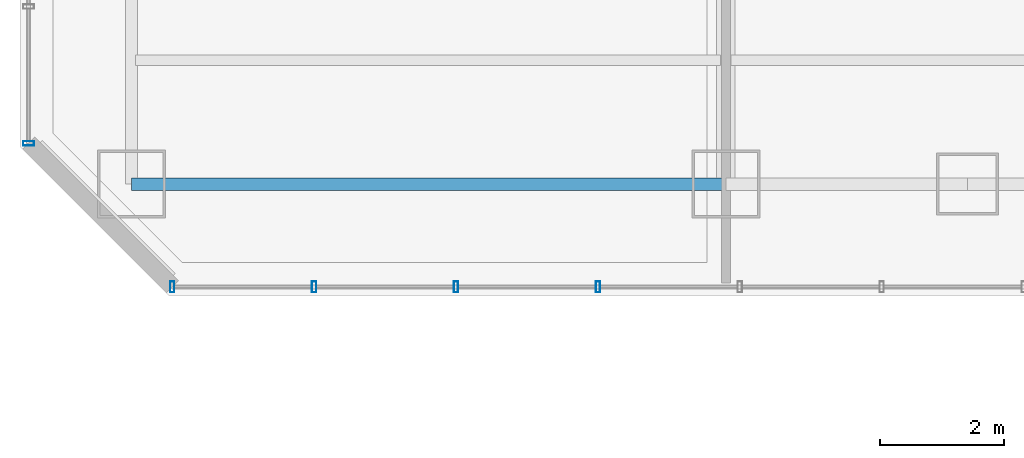
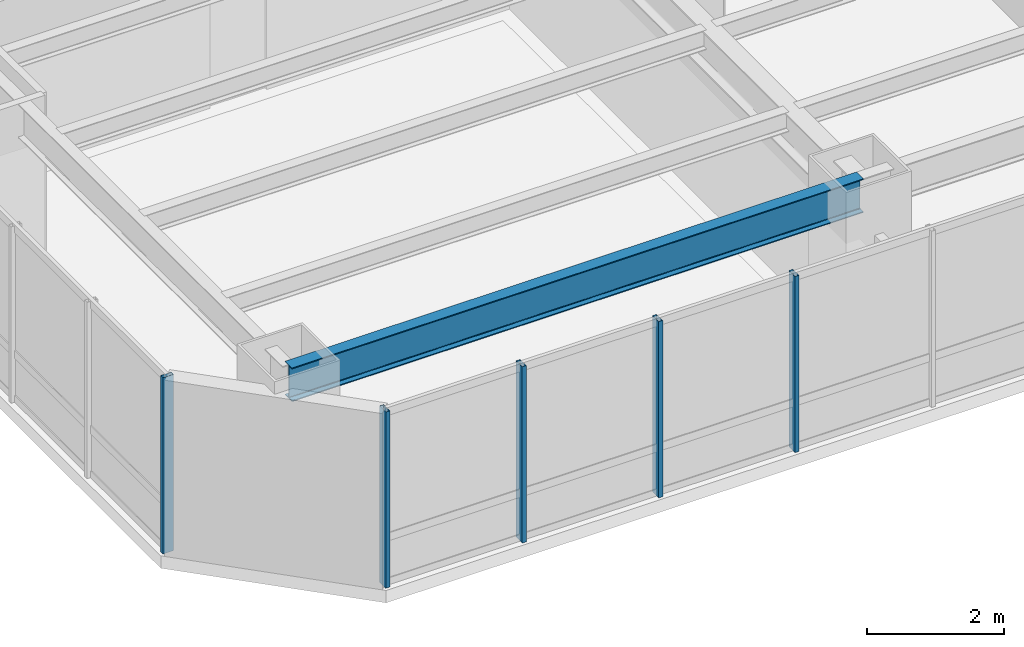
# One storey, part 2 of 37: 5 members, 1 beam, 2 elements without a shape of their own.
"""IFC4 building model written with IfcOpenShell, lengths in metres."""

from ifc_helpers import new_model, si_unit, direction, frame, origin, origin_2d, place, context, subcontext, project, spatial, hollow_rectangle, i_section, extrude, material, layer, layer_set, material_profile, profile_set, type_object, element, aggregate, save


model = new_model("IFC4")

# Units and contexts
model_context = context("Model", 3, precision=1e-05, world=origin(), true_north=direction((0.0, 1.0)))
body_context = subcontext(model_context, "Body", "Model", "MODEL_VIEW")
ifc_project = project(units=[si_unit("LENGTHUNIT", "METRE"), si_unit("AREAUNIT", "SQUARE_METRE"), si_unit("VOLUMEUNIT", "CUBIC_METRE"), si_unit("PLANEANGLEUNIT", "RADIAN"), si_unit("MASSUNIT", "GRAM", prefix="KILO")], contexts=[model_context])

# Site, building, storey
site_placement = place(None, origin())
site = spatial("IfcSite", under=ifc_project, at=site_placement, CompositionType="ELEMENT")
building_placement = place(site_placement, origin())
building = spatial("IfcBuilding", under=site, at=building_placement, Name="Hatsunagi Terrace Concourse", CompositionType="ELEMENT")
storey_placement = place(building_placement, frame((0.0, 0.0, 39.949951171875)))
storey = spatial("IfcBuildingStorey", under=building, at=storey_placement, Name="L09", CompositionType="ELEMENT", Elevation=39.949951171875)

# Curtain wall, members
ifc_material_1 = material(Name="Anodised Aluminium Alloy 6063-T5", Category="aluminium")
ifc_layer = layer(ifc_material_1, 0.199951171875)
ifc_layer_set = layer_set([ifc_layer], Name="HotelFacade_CW02")
curtain_wall_type = type_object("IfcCurtainWallType", Name="HotelFacade_CW02", PredefinedType="NOTDEFINED", material=ifc_layer_set)
curtain_wall_1_placement = place(storey_placement, origin())
curtain_wall_1 = element("IfcCurtainWall", 1, at=curtain_wall_1_placement, inside=storey, type_object=curtain_wall_type, Name="Unitised Curtain Wall CW-02 CW-L09-07", PredefinedType="NOTDEFINED")
ifc_material_2 = material(Name="Anodised Aluminium Alloy 6063-T5", Category="aluminium")
ifc_material_profile_1 = material_profile(ifc_material_2, hollow_rectangle(XDim=0.070068359375, YDim=0.179931640625, WallThickness=0.00390625, at=origin_2d()), Name="ALU-MUL-180x70x4")
ifc_profile_set_1 = profile_set([ifc_material_profile_1], Name="Anodised Aluminium Alloy 6063-T5")
member_type = type_object("IfcMemberType", Name="CurtainWallMullion_180x70", PredefinedType="MULLION", material=ifc_profile_set_1)
member_1_placement = place(storey_placement, frame((9.3330078125, 23.5400390625, 0.0), z_axis=(0.0, 0.0, 1.0), x_axis=(-1.0, 0.0, 0.0)))
member_1 = element("IfcMember", 2, at=member_1_placement, type_object=member_type, Name="Curtain Wall Mullion MUL-02", PredefinedType="MULLION", context=body_context, shape_type="SweptSolid", body=[
    extrude(hollow_rectangle(XDim=0.070068359375, YDim=0.179931640625, WallThickness=0.00390625, at=origin_2d()), origin(), (0.0, 0.0, 1.0), 3.130126953125),
])
member_2_placement = place(storey_placement, frame((7.041015625, 23.5400390625, 0.0), z_axis=(0.0, 0.0, 1.0), x_axis=(-1.0, 0.0, 0.0)))
member_2 = element("IfcMember", 3, at=member_2_placement, type_object=member_type, Name="Curtain Wall Mullion MUL-02", PredefinedType="MULLION", context=body_context, shape_type="SweptSolid", body=[
    extrude(hollow_rectangle(XDim=0.070068359375, YDim=0.179931640625, WallThickness=0.00390625, at=origin_2d()), origin(), (0.0, 0.0, 1.0), 3.130126953125),
])
member_3_placement = place(storey_placement, frame((4.75, 23.5400390625, 0.0), z_axis=(0.0, 0.0, 1.0), x_axis=(-1.0, 0.0, 0.0)))
member_3 = element("IfcMember", 4, at=member_3_placement, type_object=member_type, Name="Curtain Wall Mullion MUL-02", PredefinedType="MULLION", context=body_context, shape_type="SweptSolid", body=[
    extrude(hollow_rectangle(XDim=0.070068359375, YDim=0.179931640625, WallThickness=0.00390625, at=origin_2d()), origin(), (0.0, 0.0, 1.0), 3.130126953125),
])
member_4_placement = place(storey_placement, frame((2.4580078125, 23.5400390625, 0.0), z_axis=(0.0, 0.0, 1.0), x_axis=(-1.0, 0.0, 0.0)))
member_4 = element("IfcMember", 5, at=member_4_placement, type_object=member_type, Name="Curtain Wall Mullion MUL-02", PredefinedType="MULLION", context=body_context, shape_type="SweptSolid", body=[
    extrude(hollow_rectangle(XDim=0.070068359375, YDim=0.179931640625, WallThickness=0.00390625, at=origin_2d()), origin(), (0.0, 0.0, 1.0), 3.130126953125),
])
aggregate(curtain_wall_1, [member_1, member_2, member_3, member_4])

# Curtain wall, member
curtain_wall_2_placement = place(storey_placement, origin())
curtain_wall_2 = element("IfcCurtainWall", 6, at=curtain_wall_2_placement, inside=storey, type_object=curtain_wall_type, Name="Unitised Curtain Wall CW-02 CW-L09-09", PredefinedType="NOTDEFINED")
member_5_placement = place(storey_placement, frame((0.139892578125, 25.85791015625, 0.0), z_axis=(0.0, 0.0, 1.0), x_axis=(0.0, 1.0, 0.0)))
member_5 = element("IfcMember", 7, at=member_5_placement, type_object=member_type, Name="Curtain Wall Mullion MUL-02", PredefinedType="MULLION", context=body_context, shape_type="SweptSolid", body=[
    extrude(hollow_rectangle(XDim=0.070068359375, YDim=0.179931640625, WallThickness=0.00390625, at=origin_2d()), origin(), (0.0, 0.0, 1.0), 3.130126953125),
])
aggregate(curtain_wall_2, [member_5])

# Beam
ifc_material_3 = material(Name="Steel SN490B", Category="steel")
ifc_material_profile_2 = material_profile(ifc_material_3, i_section(OverallWidth=0.199951171875, OverallDepth=0.60009765625, WebThickness=0.010986328125, FlangeThickness=0.01708984375, FilletRadius=0.01806640625, at=origin_2d()), Name="H-600x200x11x17")
ifc_profile_set_2 = profile_set([ifc_material_profile_2], Name="Steel SN490B")
beam_type = type_object("IfcBeamType", Name="PerimeterSpandrel_H_600x200", PredefinedType="SPANDREL", material=ifc_profile_set_2)
beam_placement = place(storey_placement, frame((1.800048828125, 25.199951171875, 2.830078125), z_axis=(1.0, 0.0, 0.0), x_axis=(0.0, 1.0, 0.0)))
element("IfcBeam", 8, at=beam_placement, inside=storey, type_object=beam_type, Name="Beam SP-01 BM-L09-WS-1", PredefinedType="SPANDREL", context=body_context, shape_type="SweptSolid", body=[
    extrude(i_section(OverallWidth=0.199951171875, OverallDepth=0.60009765625, WebThickness=0.010986328125, FlangeThickness=0.01708984375, FilletRadius=0.01806640625, at=origin_2d()), origin(), (0.0, 0.0, 1.0), 9.599853515625),
])

save(model, "model.ifc")
